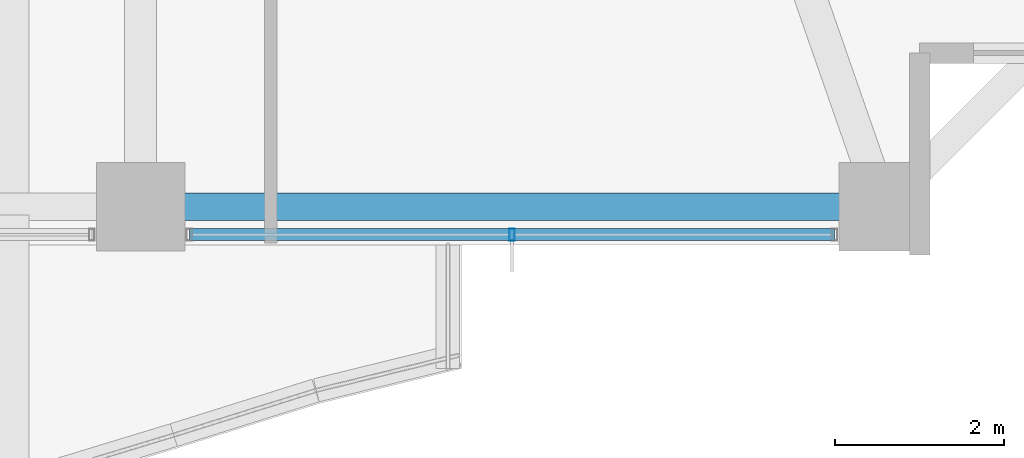
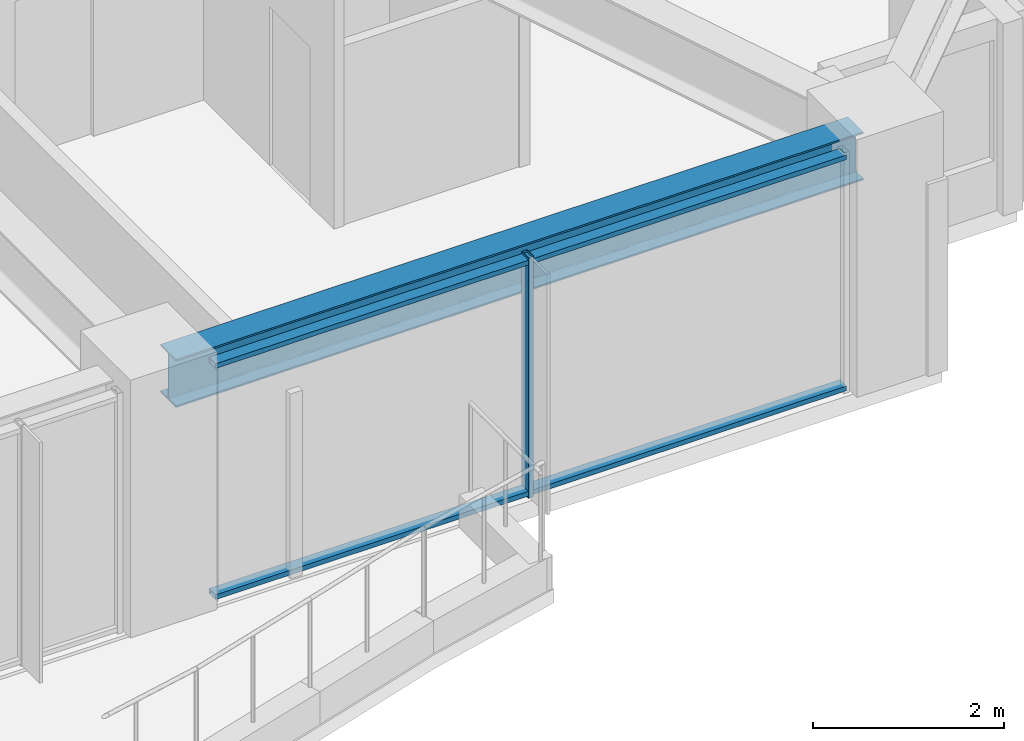
# One storey, part 7 of 38: 3 members, 1 beam, 1 element without a shape of its own.
"""IFC4 building model written with IfcOpenShell, lengths in metres."""

from ifc_helpers import new_model, si_unit, direction, frame, origin, origin_2d, place, context, subcontext, project, spatial, hollow_rectangle, i_section, extrude, material, material_profile, profile_set, type_object, element, aggregate, save


model = new_model("IFC4")

# Units and contexts
model_context = context("Model", 3, precision=1e-05, world=origin(), true_north=direction((0.0, 1.0)))
body_context = subcontext(model_context, "Body", "Model", "MODEL_VIEW")
ifc_project = project(units=[si_unit("LENGTHUNIT", "METRE"), si_unit("AREAUNIT", "SQUARE_METRE"), si_unit("VOLUMEUNIT", "CUBIC_METRE"), si_unit("PLANEANGLEUNIT", "RADIAN"), si_unit("MASSUNIT", "GRAM", prefix="KILO")], contexts=[model_context])

# Site, building, storey
site_placement = place(None, origin())
site = spatial("IfcSite", under=ifc_project, at=site_placement, CompositionType="ELEMENT")
building_placement = place(site_placement, origin())
building = spatial("IfcBuilding", under=site, at=building_placement, Name="Kolvaren Belvedere", CompositionType="ELEMENT")
storey_placement = place(building_placement, frame((0.0, 0.0, 98.60009765625)))
storey = spatial("IfcBuildingStorey", under=building, at=storey_placement, Name="L28", CompositionType="ELEMENT", Elevation=98.60009765625)

# Beam
ifc_material_1 = material(Name="Structural steel ASTM A992 Grade 50", Category="steel")
ifc_material_profile_1 = material_profile(ifc_material_1, i_section(OverallWidth=0.324951171875, OverallDepth=0.615966796875, WebThickness=0.013916015625, FlangeThickness=0.021484375, FilletRadius=0.02001953125, at=origin_2d()), Name="W24X117")
ifc_profile_set_1 = profile_set([ifc_material_profile_1], Name="Structural steel ASTM A992 Grade 50")
beam_type = type_object("IfcBeamType", Name="BM-SPAN-W24X117", PredefinedType="SPANDREL", material=ifc_profile_set_1)
beam_placement = place(storey_placement, frame((4.836181640625, -19.949951171875, 2.77197265625), z_axis=(1.0, 0.0, 0.0), x_axis=(0.0, 1.0, 0.0)))
element("IfcBeam", 1, at=beam_placement, inside=storey, type_object=beam_type, Name="L28 Perimeter Spandrel S3-S4", PredefinedType="SPANDREL", context=body_context, shape_type="SweptSolid", body=[
    extrude(i_section(OverallWidth=0.324951171875, OverallDepth=0.615966796875, WebThickness=0.013916015625, FlangeThickness=0.021484375, FilletRadius=0.02001953125, at=origin_2d()), origin(), (0.0, 0.0, 1.0), 8.32763671875),
])

# Curtain wall, members
ifc_material_2 = material(Name="Anodised pale-metal aluminium AA 6063-T6", Category="aluminium")
curtain_wall_type = type_object("IfcCurtainWallType", Name="CW-Z2-MID", PredefinedType="NOTDEFINED", material=ifc_material_2)
curtain_wall_placement = place(storey_placement, origin())
curtain_wall = element("IfcCurtainWall", 2, at=curtain_wall_placement, inside=storey, type_object=curtain_wall_type, Name="L28 Unitised Curtain Wall FCW-L28-S1-B1", PredefinedType="NOTDEFINED")
ifc_material_3 = material(Name="Anodised pale-metal aluminium AA 6063-T6", Category="aluminium")
ifc_material_profile_2 = material_profile(ifc_material_3, hollow_rectangle(XDim=0.06494140625, YDim=0.139892578125, WallThickness=0.00390625, at=origin_2d()), Name="ALU-MUL-140X65")
ifc_profile_set_2 = profile_set([ifc_material_profile_2], Name="Anodised pale-metal aluminium AA 6063-T6")
member_type_1 = type_object("IfcMemberType", Name="CW-MUL-140", PredefinedType="MULLION", material=ifc_profile_set_2)
member_1_placement = place(storey_placement, frame((9.0, -20.280029296875, 0.0), z_axis=(0.0, 0.0, 1.0), x_axis=(1.0, 0.0, 0.0)))
member_1 = element("IfcMember", 3, at=member_1_placement, type_object=member_type_1, Name="FCW-L28-S1-B1 Unitised Mullion 2", PredefinedType="MULLION", context=body_context, shape_type="SweptSolid", body=[
    extrude(hollow_rectangle(XDim=0.06494140625, YDim=0.139892578125, WallThickness=0.00390625, at=origin_2d()), origin(), (0.0, 0.0, 1.0), 3.079833984375),
])
ifc_material_4 = material(Name="Anodised pale-metal aluminium AA 6063-T6", Category="aluminium")
ifc_material_profile_3 = material_profile(ifc_material_4, hollow_rectangle(XDim=0.06005859375, YDim=0.139892578125, WallThickness=0.00390625, at=origin_2d()), Name="ALU-TRN-140X60")
ifc_profile_set_3 = profile_set([ifc_material_profile_3], Name="Anodised pale-metal aluminium AA 6063-T6")
member_type_2 = type_object("IfcMemberType", Name="CW-TRN-140", PredefinedType="USERDEFINED", material=ifc_profile_set_3)
member_2_placement = place(storey_placement, frame((12.822509765625, -20.280029296875, 0.059814453125), z_axis=(-1.0, 0.0, 0.0), x_axis=(0.0, 0.0, 1.0)))
member_2 = element("IfcMember", 4, at=member_2_placement, type_object=member_type_2, Name="FCW-L28-S1-B1 Sill Transom", ObjectType="TRANSOM", PredefinedType="USERDEFINED", context=body_context, shape_type="SweptSolid", body=[
    extrude(hollow_rectangle(XDim=0.06005859375, YDim=0.139892578125, WallThickness=0.00390625, at=origin_2d()), origin(), (0.0, 0.0, 1.0), 7.64501953125),
])
member_3_placement = place(storey_placement, frame((12.822509765625, -20.280029296875, 3.02001953125), z_axis=(-1.0, 0.0, 0.0), x_axis=(0.0, 0.0, 1.0)))
member_3 = element("IfcMember", 5, at=member_3_placement, type_object=member_type_2, Name="FCW-L28-S1-B1 Head Transom", ObjectType="TRANSOM", PredefinedType="USERDEFINED", context=body_context, shape_type="SweptSolid", body=[
    extrude(hollow_rectangle(XDim=0.06005859375, YDim=0.139892578125, WallThickness=0.00390625, at=origin_2d()), origin(), (0.0, 0.0, 1.0), 7.64501953125),
])
aggregate(curtain_wall, [member_1, member_2, member_3])

save(model, "model.ifc")
